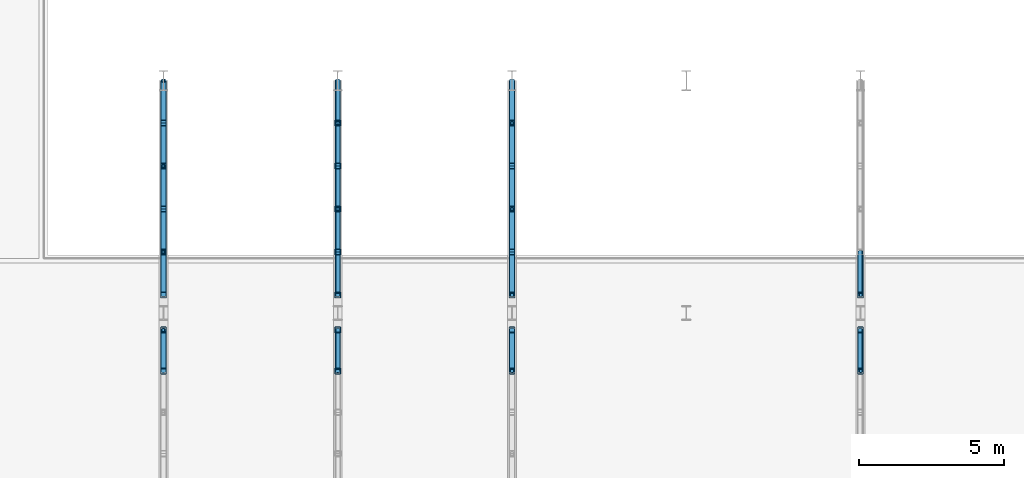
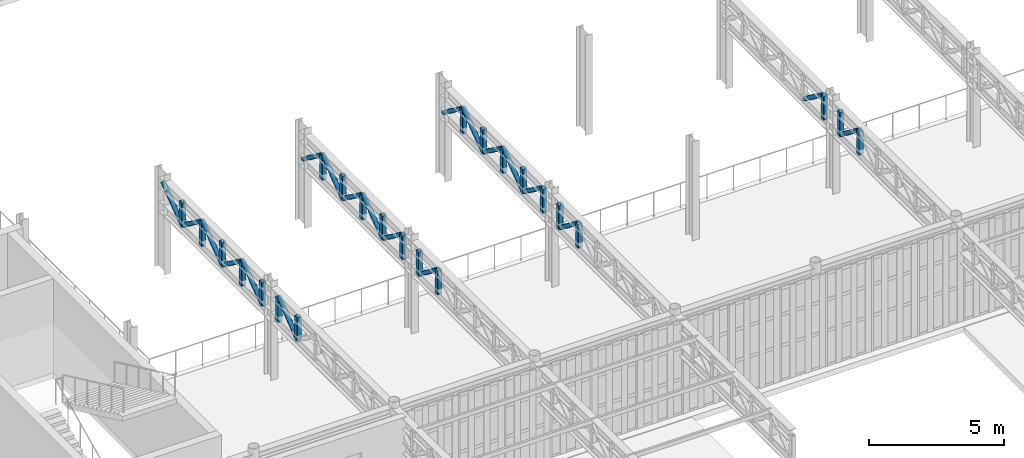
# One storey, part 25 of 91: 44 members.
"""IFC4 building model written with IfcOpenShell, lengths in metres."""

from ifc_helpers import new_model, si_unit, direction, frame, origin, origin_2d, place, context, subcontext, project, spatial, hollow_rectangle, hollow_circle, extrude, material, material_profile, profile_set, type_object, element, save


model = new_model("IFC4")

# Units and contexts
model_context = context("Model", 3, precision=1e-05, world=origin(), true_north=direction((0.0, 1.0)))
body_context = subcontext(model_context, "Body", "Model", "MODEL_VIEW")
ifc_project = project(units=[si_unit("LENGTHUNIT", "METRE"), si_unit("AREAUNIT", "SQUARE_METRE"), si_unit("VOLUMEUNIT", "CUBIC_METRE"), si_unit("PLANEANGLEUNIT", "RADIAN"), si_unit("MASSUNIT", "GRAM", prefix="KILO")], contexts=[model_context])

# Site, building, storey
site_placement = place(None, origin())
site = spatial("IfcSite", under=ifc_project, at=site_placement, CompositionType="ELEMENT")
building_placement = place(site_placement, origin())
building = spatial("IfcBuilding", under=site, at=building_placement, Name="Kolvaren Corner Interchange", CompositionType="ELEMENT")
storey_placement = place(building_placement, frame((0.0, 0.0, 6.0)))
storey = spatial("IfcBuildingStorey", under=building, at=storey_placement, Name="L02", CompositionType="ELEMENT", Elevation=6.0)

# Members
ifc_material_1 = material(Name="Steel S355", Category="steel")
ifc_material_profile_1 = material_profile(ifc_material_1, hollow_circle(Radius=0.096923828125, WallThickness=0.010009765625, at=origin_2d()), Name="CHS 193.7x10.0")
ifc_profile_set_1 = profile_set([ifc_material_profile_1], Name="Steel S355")
member_type_1 = type_object("IfcMemberType", Name="MEM-BR-CHS194", PredefinedType="BRACE", material=ifc_profile_set_1)
member_1_placement = place(storey_placement, frame((72.0, 32.0, 2.889892578125), z_axis=(0.0, 0.795908969203, 0.605416313575), x_axis=(-1.0, 0.0, 0.0)))
element("IfcMember", 1, at=member_1_placement, inside=storey, type_object=member_type_1, Name="South Portal Cantilever Roof Truss L03 Line 1 Diagonal 11", PredefinedType="BRACE", context=body_context, shape_type="SweptSolid", body=[
    extrude(hollow_circle(Radius=0.096923828125, WallThickness=0.010009765625, at=origin_2d()), origin(), (0.0, 0.0, 1.0), 1.783935546875),
])
for number, where, z_axis, x_axis, name in (
    (2, (72.0, 34.6201171875, 2.889892578125), (0.0, 0.807766939163, 0.589501969458), (-1.0, 0.0, 0.0), "South Portal Cantilever Roof Truss L03 Line 1 Diagonal 13"),
    (3, (72.0, 36.10009765625, 3.969970703125), (0.0, 0.807766939163, -0.589501969458), (-1.0, 0.0, 0.0), "South Portal Cantilever Roof Truss L03 Line 1 Diagonal 14"),
    (4, (72.0, 37.580078125, 2.889892578125), (0.0, 0.807766939163, 0.589501969458), (-1.0, 0.0, 0.0), "South Portal Cantilever Roof Truss L03 Line 1 Diagonal 15"),
    (5, (72.0, 39.06005859375, 3.969970703125), (0.0, 0.807766939163, -0.589501969458), (-1.0, 0.0, 0.0), "South Portal Cantilever Roof Truss L03 Line 1 Diagonal 16"),
):
    element("IfcMember", number, at=place(storey_placement, frame(where, z_axis=z_axis, x_axis=x_axis)), inside=storey, type_object=member_type_1, Name=name, PredefinedType="BRACE", context=body_context, shape_type="SweptSolid", body=[
        extrude(hollow_circle(Radius=0.096923828125, WallThickness=0.010009765625, at=origin_2d()), origin(), (0.0, 0.0, 1.0), 1.832275390625),
    ])
member_2_placement = place(storey_placement, frame((72.0, 40.5400390625, 2.889892578125), z_axis=(0.0, 0.803919029911, 0.594738760589), x_axis=(-1.0, 0.0, 0.0)))
element("IfcMember", 6, at=member_2_placement, inside=storey, type_object=member_type_1, Name="South Portal Cantilever Roof Truss L03 Line 1 Diagonal 17", PredefinedType="BRACE", context=body_context, shape_type="SweptSolid", body=[
    extrude(hollow_circle(Radius=0.096923828125, WallThickness=0.010009765625, at=origin_2d()), origin(), (0.0, 0.0, 1.0), 1.816162109375),
])
member_3_placement = place(storey_placement, frame((78.0, 32.0, 3.969970703125), z_axis=(0.0, 0.795908969203, -0.605416313575), x_axis=(-1.0, 0.0, 0.0)))
element("IfcMember", 7, at=member_3_placement, inside=storey, type_object=member_type_1, Name="South Portal Cantilever Roof Truss L03 Line 2 Diagonal 12", PredefinedType="BRACE", context=body_context, shape_type="SweptSolid", body=[
    extrude(hollow_circle(Radius=0.096923828125, WallThickness=0.010009765625, at=origin_2d()), origin(), (0.0, 0.0, 1.0), 1.783935546875),
])
for number, where, z_axis, x_axis, name in (
    (8, (78.0, 34.6201171875, 3.969970703125), (0.0, 0.807766939163, -0.589501969458), (-1.0, 0.0, 0.0), "South Portal Cantilever Roof Truss L03 Line 2 Diagonal 14"),
    (9, (78.0, 36.10009765625, 2.889892578125), (0.0, 0.807766939163, 0.589501969458), (-1.0, 0.0, 0.0), "South Portal Cantilever Roof Truss L03 Line 2 Diagonal 15"),
    (10, (78.0, 37.580078125, 3.969970703125), (0.0, 0.807766939163, -0.589501969458), (-1.0, 0.0, 0.0), "South Portal Cantilever Roof Truss L03 Line 2 Diagonal 16"),
    (11, (78.0, 39.06005859375, 2.889892578125), (0.0, 0.807766939163, 0.589501969458), (-1.0, 0.0, 0.0), "South Portal Cantilever Roof Truss L03 Line 2 Diagonal 17"),
):
    element("IfcMember", number, at=place(storey_placement, frame(where, z_axis=z_axis, x_axis=x_axis)), inside=storey, type_object=member_type_1, Name=name, PredefinedType="BRACE", context=body_context, shape_type="SweptSolid", body=[
        extrude(hollow_circle(Radius=0.096923828125, WallThickness=0.010009765625, at=origin_2d()), origin(), (0.0, 0.0, 1.0), 1.832275390625),
    ])
member_4_placement = place(storey_placement, frame((78.0, 40.5400390625, 3.969970703125), z_axis=(0.0, 0.803919029911, -0.594738760589), x_axis=(-1.0, 0.0, 0.0)))
element("IfcMember", 12, at=member_4_placement, inside=storey, type_object=member_type_1, Name="South Portal Cantilever Roof Truss L03 Line 2 Diagonal 18", PredefinedType="BRACE", context=body_context, shape_type="SweptSolid", body=[
    extrude(hollow_circle(Radius=0.096923828125, WallThickness=0.010009765625, at=origin_2d()), origin(), (0.0, 0.0, 1.0), 1.816162109375),
])
member_5_placement = place(storey_placement, frame((84.0, 32.0, 3.969970703125), z_axis=(0.0, 0.795908969203, -0.605416313575), x_axis=(-1.0, 0.0, 0.0)))
element("IfcMember", 13, at=member_5_placement, inside=storey, type_object=member_type_1, Name="South Portal Cantilever Roof Truss L03 Line 3 Diagonal 12", PredefinedType="BRACE", context=body_context, shape_type="SweptSolid", body=[
    extrude(hollow_circle(Radius=0.096923828125, WallThickness=0.010009765625, at=origin_2d()), origin(), (0.0, 0.0, 1.0), 1.783935546875),
])
for number, where, z_axis, x_axis, name in (
    (14, (84.0, 34.6201171875, 3.969970703125), (0.0, 0.807766939163, -0.589501969458), (-1.0, 0.0, 0.0), "South Portal Cantilever Roof Truss L03 Line 3 Diagonal 14"),
    (15, (84.0, 36.10009765625, 2.889892578125), (0.0, 0.807766939163, 0.589501969458), (-1.0, 0.0, 0.0), "South Portal Cantilever Roof Truss L03 Line 3 Diagonal 15"),
    (16, (84.0, 37.580078125, 3.969970703125), (0.0, 0.807766939163, -0.589501969458), (-1.0, 0.0, 0.0), "South Portal Cantilever Roof Truss L03 Line 3 Diagonal 16"),
    (17, (84.0, 39.06005859375, 2.889892578125), (0.0, 0.807766939163, 0.589501969458), (-1.0, 0.0, 0.0), "South Portal Cantilever Roof Truss L03 Line 3 Diagonal 17"),
):
    element("IfcMember", number, at=place(storey_placement, frame(where, z_axis=z_axis, x_axis=x_axis)), inside=storey, type_object=member_type_1, Name=name, PredefinedType="BRACE", context=body_context, shape_type="SweptSolid", body=[
        extrude(hollow_circle(Radius=0.096923828125, WallThickness=0.010009765625, at=origin_2d()), origin(), (0.0, 0.0, 1.0), 1.832275390625),
    ])
member_6_placement = place(storey_placement, frame((84.0, 40.5400390625, 3.969970703125), z_axis=(0.0, 0.803919029911, -0.594738760589), x_axis=(-1.0, 0.0, 0.0)))
element("IfcMember", 18, at=member_6_placement, inside=storey, type_object=member_type_1, Name="South Portal Cantilever Roof Truss L03 Line 3 Diagonal 18", PredefinedType="BRACE", context=body_context, shape_type="SweptSolid", body=[
    extrude(hollow_circle(Radius=0.096923828125, WallThickness=0.010009765625, at=origin_2d()), origin(), (0.0, 0.0, 1.0), 1.816162109375),
])
member_7_placement = place(storey_placement, frame((96.0, 32.0, 3.969970703125), z_axis=(0.0, 0.795908969203, -0.605416313575), x_axis=(-1.0, 0.0, 0.0)))
element("IfcMember", 19, at=member_7_placement, inside=storey, type_object=member_type_1, Name="South Portal Cantilever Roof Truss L03 Line 5 Diagonal 12", PredefinedType="BRACE", context=body_context, shape_type="SweptSolid", body=[
    extrude(hollow_circle(Radius=0.096923828125, WallThickness=0.010009765625, at=origin_2d()), origin(), (0.0, 0.0, 1.0), 1.783935546875),
])
member_8_placement = place(storey_placement, frame((96.0, 34.6201171875, 3.969970703125), z_axis=(0.0, 0.807766939163, -0.589501969458), x_axis=(-1.0, 0.0, 0.0)))
element("IfcMember", 20, at=member_8_placement, inside=storey, type_object=member_type_1, Name="South Portal Cantilever Roof Truss L03 Line 5 Diagonal 14", PredefinedType="BRACE", context=body_context, shape_type="SweptSolid", body=[
    extrude(hollow_circle(Radius=0.096923828125, WallThickness=0.010009765625, at=origin_2d()), origin(), (0.0, 0.0, 1.0), 1.832275390625),
])
ifc_material_2 = material(Name="Steel S355", Category="steel")
ifc_material_profile_2 = material_profile(ifc_material_2, hollow_rectangle(XDim=0.199951171875, YDim=0.199951171875, WallThickness=0.010009765625, InnerFilletRadius=0.010009765625, OuterFilletRadius=0.02001953125, at=origin_2d()), Name="SHS 200x200x10.0")
ifc_profile_set_2 = profile_set([ifc_material_profile_2], Name="Steel S355")
member_type_2 = type_object("IfcMemberType", Name="MEM-PT-SHS200", PredefinedType="POST", material=ifc_profile_set_2)
for number, where, z_axis, x_axis, name in (
    (21, (72.0, 32.0, 2.889892578125), (0.0, 0.0, 1.0), (1.0, 0.0, 0.0), "South Portal Cantilever Roof Truss L03 Line 1 Web Post 11"),
    (22, (72.0, 33.419921875, 2.889892578125), (0.0, 0.0, 1.0), (1.0, 0.0, 0.0), "South Portal Cantilever Roof Truss L03 Line 1 Web Post 12"),
    (23, (72.0, 34.6201171875, 2.889892578125), (0.0, 0.0, 1.0), (1.0, 0.0, 0.0), "South Portal Cantilever Roof Truss L03 Line 1 Web Post 13"),
    (24, (72.0, 36.10009765625, 2.889892578125), (0.0, 0.0, 1.0), (1.0, 0.0, 0.0), "South Portal Cantilever Roof Truss L03 Line 1 Web Post 14"),
    (25, (72.0, 37.580078125, 2.889892578125), (0.0, 0.0, 1.0), (1.0, 0.0, 0.0), "South Portal Cantilever Roof Truss L03 Line 1 Web Post 15"),
    (26, (72.0, 39.06005859375, 2.889892578125), (0.0, 0.0, 1.0), (1.0, 0.0, 0.0), "South Portal Cantilever Roof Truss L03 Line 1 Web Post 16"),
    (27, (72.0, 40.5400390625, 2.889892578125), (0.0, 0.0, 1.0), (1.0, 0.0, 0.0), "South Portal Cantilever Roof Truss L03 Line 1 Web Post 17"),
    (28, (78.0, 32.0, 2.889892578125), (0.0, 0.0, 1.0), (1.0, 0.0, 0.0), "South Portal Cantilever Roof Truss L03 Line 2 Web Post 12"),
    (29, (78.0, 33.419921875, 2.889892578125), (0.0, 0.0, 1.0), (1.0, 0.0, 0.0), "South Portal Cantilever Roof Truss L03 Line 2 Web Post 13"),
    (30, (78.0, 34.6201171875, 2.889892578125), (0.0, 0.0, 1.0), (1.0, 0.0, 0.0), "South Portal Cantilever Roof Truss L03 Line 2 Web Post 14"),
    (31, (78.0, 36.10009765625, 2.889892578125), (0.0, 0.0, 1.0), (1.0, 0.0, 0.0), "South Portal Cantilever Roof Truss L03 Line 2 Web Post 15"),
    (32, (78.0, 37.580078125, 2.889892578125), (0.0, 0.0, 1.0), (1.0, 0.0, 0.0), "South Portal Cantilever Roof Truss L03 Line 2 Web Post 16"),
    (33, (78.0, 39.06005859375, 2.889892578125), (0.0, 0.0, 1.0), (1.0, 0.0, 0.0), "South Portal Cantilever Roof Truss L03 Line 2 Web Post 17"),
    (34, (78.0, 40.5400390625, 2.889892578125), (0.0, 0.0, 1.0), (1.0, 0.0, 0.0), "South Portal Cantilever Roof Truss L03 Line 2 Web Post 18"),
    (35, (84.0, 32.0, 2.889892578125), (0.0, 0.0, 1.0), (1.0, 0.0, 0.0), "South Portal Cantilever Roof Truss L03 Line 3 Web Post 12"),
    (36, (84.0, 33.419921875, 2.889892578125), (0.0, 0.0, 1.0), (1.0, 0.0, 0.0), "South Portal Cantilever Roof Truss L03 Line 3 Web Post 13"),
    (37, (84.0, 34.6201171875, 2.889892578125), (0.0, 0.0, 1.0), (1.0, 0.0, 0.0), "South Portal Cantilever Roof Truss L03 Line 3 Web Post 14"),
    (38, (84.0, 36.10009765625, 2.889892578125), (0.0, 0.0, 1.0), (1.0, 0.0, 0.0), "South Portal Cantilever Roof Truss L03 Line 3 Web Post 15"),
    (39, (84.0, 37.580078125, 2.889892578125), (0.0, 0.0, 1.0), (1.0, 0.0, 0.0), "South Portal Cantilever Roof Truss L03 Line 3 Web Post 16"),
    (40, (84.0, 39.06005859375, 2.889892578125), (0.0, 0.0, 1.0), (1.0, 0.0, 0.0), "South Portal Cantilever Roof Truss L03 Line 3 Web Post 17"),
    (41, (84.0, 40.5400390625, 2.889892578125), (0.0, 0.0, 1.0), (1.0, 0.0, 0.0), "South Portal Cantilever Roof Truss L03 Line 3 Web Post 18"),
    (42, (96.0, 32.0, 2.889892578125), (0.0, 0.0, 1.0), (1.0, 0.0, 0.0), "South Portal Cantilever Roof Truss L03 Line 5 Web Post 12"),
    (43, (96.0, 33.419921875, 2.889892578125), (0.0, 0.0, 1.0), (1.0, 0.0, 0.0), "South Portal Cantilever Roof Truss L03 Line 5 Web Post 13"),
    (44, (96.0, 34.6201171875, 2.889892578125), (0.0, 0.0, 1.0), (1.0, 0.0, 0.0), "South Portal Cantilever Roof Truss L03 Line 5 Web Post 14"),
):
    element("IfcMember", number, at=place(storey_placement, frame(where, z_axis=z_axis, x_axis=x_axis)), inside=storey, type_object=member_type_2, Name=name, PredefinedType="POST", context=body_context, shape_type="SweptSolid", body=[
        extrude(hollow_rectangle(XDim=0.199951171875, YDim=0.199951171875, WallThickness=0.010009765625, InnerFilletRadius=0.010009765625, OuterFilletRadius=0.02001953125, at=origin_2d()), origin(), (0.0, 0.0, 1.0), 1.080078125),
    ])

save(model, "model.ifc")
